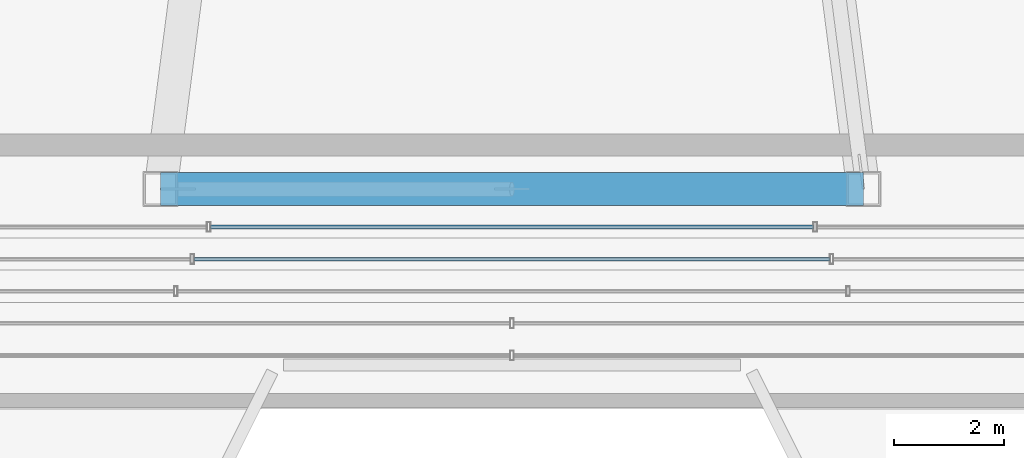
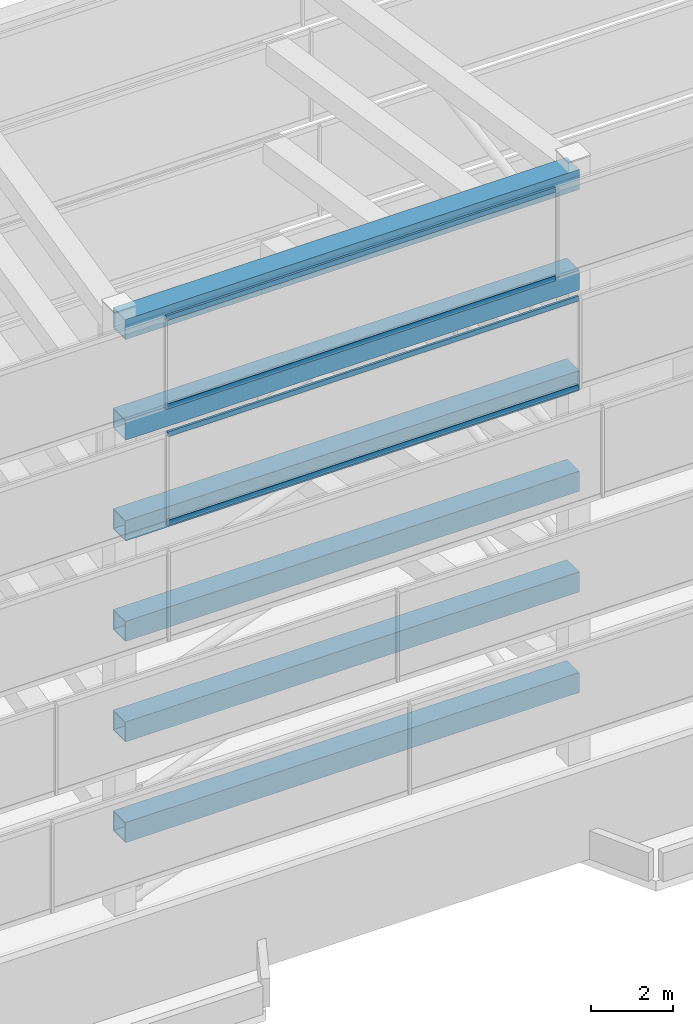
# One storey, part 9 of 29: 10 members, 2 elements without a shape of their own.
"""IFC4 building model written with IfcOpenShell, lengths in metres."""

from ifc_helpers import new_model, si_unit, direction, frame, origin, origin_2d, place, context, subcontext, project, spatial, hollow_rectangle, extrude, material, material_profile, profile_set, type_object, element, aggregate, save


model = new_model("IFC4")

# Units and contexts
model_context = context("Model", 3, precision=1e-05, world=origin(), true_north=direction((0.0, 1.0)))
body_context = subcontext(model_context, "Body", "Model", "MODEL_VIEW")
ifc_project = project(units=[si_unit("LENGTHUNIT", "METRE"), si_unit("AREAUNIT", "SQUARE_METRE"), si_unit("VOLUMEUNIT", "CUBIC_METRE"), si_unit("PLANEANGLEUNIT", "RADIAN"), si_unit("MASSUNIT", "GRAM", prefix="KILO")], contexts=[model_context])

# Site, building, storey
site_placement = place(None, origin())
site = spatial("IfcSite", under=ifc_project, at=site_placement, CompositionType="ELEMENT")
building_placement = place(site_placement, origin())
building = spatial("IfcBuilding", under=site, at=building_placement, Name="Saevonmaru Cultural Tower", CompositionType="ELEMENT")
storey_placement = place(building_placement, frame((0.0, 0.0, 327.60009765625)))
storey = spatial("IfcBuildingStorey", under=building, at=storey_placement, Name="RF", CompositionType="ELEMENT", Elevation=327.60009765625)

# Members
ifc_material_1 = material(Name="Steel SM420", Category="steel")
ifc_material_profile_1 = material_profile(ifc_material_1, hollow_rectangle(XDim=0.60009765625, YDim=0.60009765625, WallThickness=0.028076171875, at=origin_2d()), Name="BOX-600x600x28")
ifc_profile_set_1 = profile_set([ifc_material_profile_1], Name="Steel SM420")
member_type_1 = type_object("IfcMemberType", Name="CROWN-FRAME-CHORD", PredefinedType="CHORD", material=ifc_profile_set_1)
for number, where, z_axis, x_axis, name in (
    (1, (23.60009765625, 42.39990234375, 2.39990234375), (1.0, 0.0, 0.0), (0.0, 1.0, 0.0), "RF Stepped Ziggurat CROWN FRAME Ring Beam T1-1"),
    (2, (23.60009765625, 42.39990234375, 5.39990234375), (1.0, 0.0, 0.0), (0.0, 1.0, 0.0), "RF Stepped Ziggurat CROWN FRAME Ring Beam T2-1"),
    (3, (23.60009765625, 42.39990234375, 8.39990234375), (1.0, 0.0, 0.0), (0.0, 1.0, 0.0), "RF Stepped Ziggurat CROWN FRAME Ring Beam T3-1"),
    (4, (23.60009765625, 42.39990234375, 11.39990234375), (1.0, 0.0, 0.0), (0.0, 1.0, 0.0), "RF Stepped Ziggurat CROWN FRAME Ring Beam T4-1"),
    (5, (23.60009765625, 42.39990234375, 14.39990234375), (1.0, 0.0, 0.0), (0.0, 1.0, 0.0), "RF Stepped Ziggurat CROWN FRAME Ring Beam T5-1"),
    (6, (23.60009765625, 42.39990234375, 17.39990234375), (1.0, 0.0, 0.0), (0.0, 1.0, 0.0), "RF Stepped Ziggurat CROWN FRAME Ring Beam T6-1"),
):
    element("IfcMember", number, at=place(storey_placement, frame(where, z_axis=z_axis, x_axis=x_axis)), inside=storey, type_object=member_type_1, Name=name, PredefinedType="CHORD", context=body_context, shape_type="SweptSolid", body=[
        extrude(hollow_rectangle(XDim=0.60009765625, YDim=0.60009765625, WallThickness=0.028076171875, at=origin_2d()), origin(), (0.0, 0.0, 1.0), 12.7998046875),
    ])

# Curtain wall, members
ifc_material_2 = material(Name="Satin Bronze Anodised Aluminium", Category="aluminium")
curtain_wall_type = type_object("IfcCurtainWallType", Name="CW-TYP-B", PredefinedType="NOTDEFINED", material=ifc_material_2)
curtain_wall_1_placement = place(storey_placement, origin())
curtain_wall_1 = element("IfcCurtainWall", 7, at=curtain_wall_1_placement, inside=storey, type_object=curtain_wall_type, Name="RF Ziggurat Crown Tier 5 Bronze Louvre Screen 1", PredefinedType="NOTDEFINED")
ifc_material_profile_2 = material_profile(ifc_material_2, hollow_rectangle(XDim=0.06494140625, YDim=0.14990234375, WallThickness=0.00390625, at=origin_2d()), Name="ALU-TRAN-150x65x4")
ifc_profile_set_2 = profile_set([ifc_material_profile_2], Name="Satin Bronze Anodised Aluminium")
member_type_2 = type_object("IfcMemberType", Name="TR-CW-150x65", PredefinedType="USERDEFINED", material=ifc_profile_set_2)
member_1_placement = place(storey_placement, frame((24.210205078125, 41.125, 12.032470703125), z_axis=(1.0, 0.0, 0.0), x_axis=(0.0, 1.0, 0.0)))
member_1 = element("IfcMember", 8, at=member_1_placement, type_object=member_type_2, Name="CW-CROWN-T5-1 transom 2.1", ObjectType="TRANSOM", PredefinedType="USERDEFINED", context=body_context, shape_type="SweptSolid", body=[
    extrude(hollow_rectangle(XDim=0.06494140625, YDim=0.14990234375, WallThickness=0.00390625, at=origin_2d()), origin(), (0.0, 0.0, 1.0), 11.57958984375),
])
member_2_placement = place(storey_placement, frame((24.210205078125, 41.125, 14.66748046875), z_axis=(1.0, 0.0, 0.0), x_axis=(0.0, 1.0, 0.0)))
member_2 = element("IfcMember", 9, at=member_2_placement, type_object=member_type_2, Name="CW-CROWN-T5-1 transom 2.2", ObjectType="TRANSOM", PredefinedType="USERDEFINED", context=body_context, shape_type="SweptSolid", body=[
    extrude(hollow_rectangle(XDim=0.06494140625, YDim=0.14990234375, WallThickness=0.00390625, at=origin_2d()), origin(), (0.0, 0.0, 1.0), 11.57958984375),
])
aggregate(curtain_wall_1, [member_1, member_2])

curtain_wall_2_placement = place(storey_placement, origin())
curtain_wall_2 = element("IfcCurtainWall", 10, at=curtain_wall_2_placement, inside=storey, type_object=curtain_wall_type, Name="RF Ziggurat Crown Tier 6 Bronze Louvre Screen 1", PredefinedType="NOTDEFINED")
member_3_placement = place(storey_placement, frame((24.51025390625, 41.7099609375, 15.032470703125), z_axis=(1.0, 0.0, 0.0), x_axis=(0.0, 1.0, 0.0)))
member_3 = element("IfcMember", 11, at=member_3_placement, type_object=member_type_2, Name="CW-CROWN-T6-1 transom 2.1", ObjectType="TRANSOM", PredefinedType="USERDEFINED", context=body_context, shape_type="SweptSolid", body=[
    extrude(hollow_rectangle(XDim=0.06494140625, YDim=0.14990234375, WallThickness=0.00390625, at=origin_2d()), origin(), (0.0, 0.0, 1.0), 10.9794921875),
])
member_4_placement = place(storey_placement, frame((24.51025390625, 41.7099609375, 17.66748046875), z_axis=(1.0, 0.0, 0.0), x_axis=(0.0, 1.0, 0.0)))
member_4 = element("IfcMember", 12, at=member_4_placement, type_object=member_type_2, Name="CW-CROWN-T6-1 transom 2.2", ObjectType="TRANSOM", PredefinedType="USERDEFINED", context=body_context, shape_type="SweptSolid", body=[
    extrude(hollow_rectangle(XDim=0.06494140625, YDim=0.14990234375, WallThickness=0.00390625, at=origin_2d()), origin(), (0.0, 0.0, 1.0), 10.9794921875),
])
aggregate(curtain_wall_2, [member_3, member_4])

save(model, "model.ifc")
